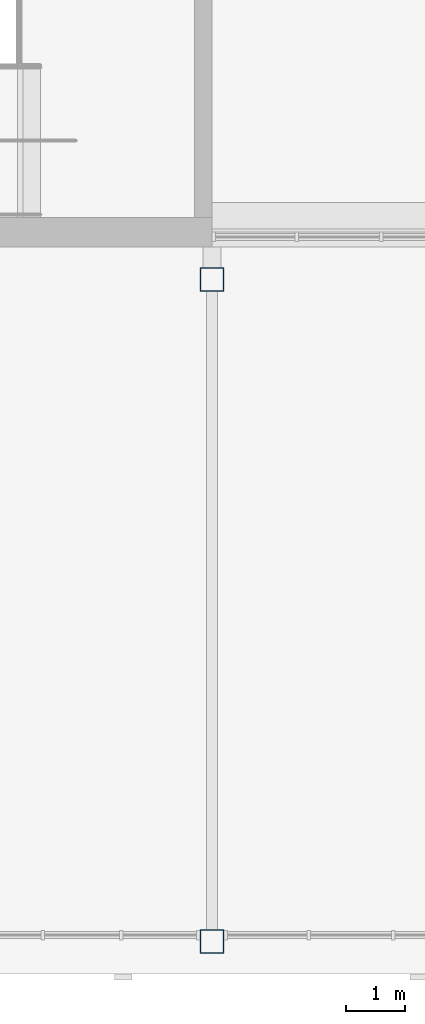
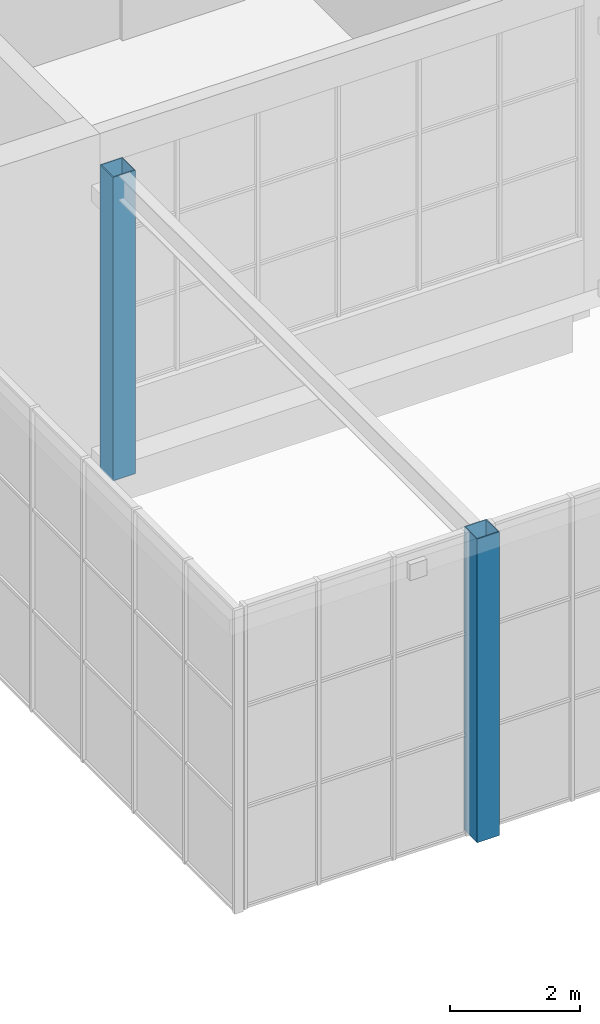
# One storey, part 2 of 89: 2 columns.
"""IFC4 building model written with IfcOpenShell, lengths in metres."""

from ifc_helpers import new_model, si_unit, direction, frame, origin, origin_2d, place, context, subcontext, project, spatial, hollow_rectangle, extrude, material, material_profile, profile_set, type_object, element, save


model = new_model("IFC4")

# Units and contexts
model_context = context("Model", 3, precision=1e-05, world=origin(), true_north=direction((0.0, 1.0)))
body_context = subcontext(model_context, "Body", "Model", "MODEL_VIEW")
ifc_project = project(units=[si_unit("LENGTHUNIT", "METRE"), si_unit("AREAUNIT", "SQUARE_METRE"), si_unit("VOLUMEUNIT", "CUBIC_METRE"), si_unit("PLANEANGLEUNIT", "RADIAN"), si_unit("MASSUNIT", "GRAM", prefix="KILO")], contexts=[model_context])

# Site, building, storey
site_placement = place(None, origin())
site = spatial("IfcSite", under=ifc_project, at=site_placement, CompositionType="ELEMENT")
building_placement = place(site_placement, origin())
building = spatial("IfcBuilding", under=site, at=building_placement, Name="Silverbay Arena", CompositionType="ELEMENT")
storey_placement = place(building_placement, frame((0.0, 0.0, 22.0)))
storey = spatial("IfcBuildingStorey", under=building, at=storey_placement, Name="L03", CompositionType="ELEMENT", Elevation=22.0)

# Columns
ifc_material = material(Name="Steel S355", Category="steel")
ifc_material_profile = material_profile(ifc_material, hollow_rectangle(XDim=0.39990234375, YDim=0.39990234375, WallThickness=0.01611328125, at=origin_2d()), Name="SHS 400x400x16")
ifc_profile_set = profile_set([ifc_material_profile], Name="Steel S355")
column_type = type_object("IfcColumnType", Name="Hall column SHS 400x400x16", PredefinedType="COLUMN", material=ifc_profile_set)
for number, where, z_axis, x_axis, name in (
    (1, (117.0, 5.75, 0.0), (0.0, 0.0, 1.0), (1.0, 0.0, 0.0), "South entrance hall S1 column F1"),
    (2, (117.0, 16.949951171875, 0.0), (0.0, 0.0, 1.0), (1.0, 0.0, 0.0), "South entrance hall S1 column B1"),
):
    element("IfcColumn", number, at=place(storey_placement, frame(where, z_axis=z_axis, x_axis=x_axis)), inside=storey, type_object=column_type, Name=name, PredefinedType="COLUMN", context=body_context, shape_type="SweptSolid", body=[
        extrude(hollow_rectangle(XDim=0.39990234375, YDim=0.39990234375, WallThickness=0.01611328125, at=origin_2d()), origin(), (0.0, 0.0, 1.0), 5.699951171875),
    ])

save(model, "model.ifc")
